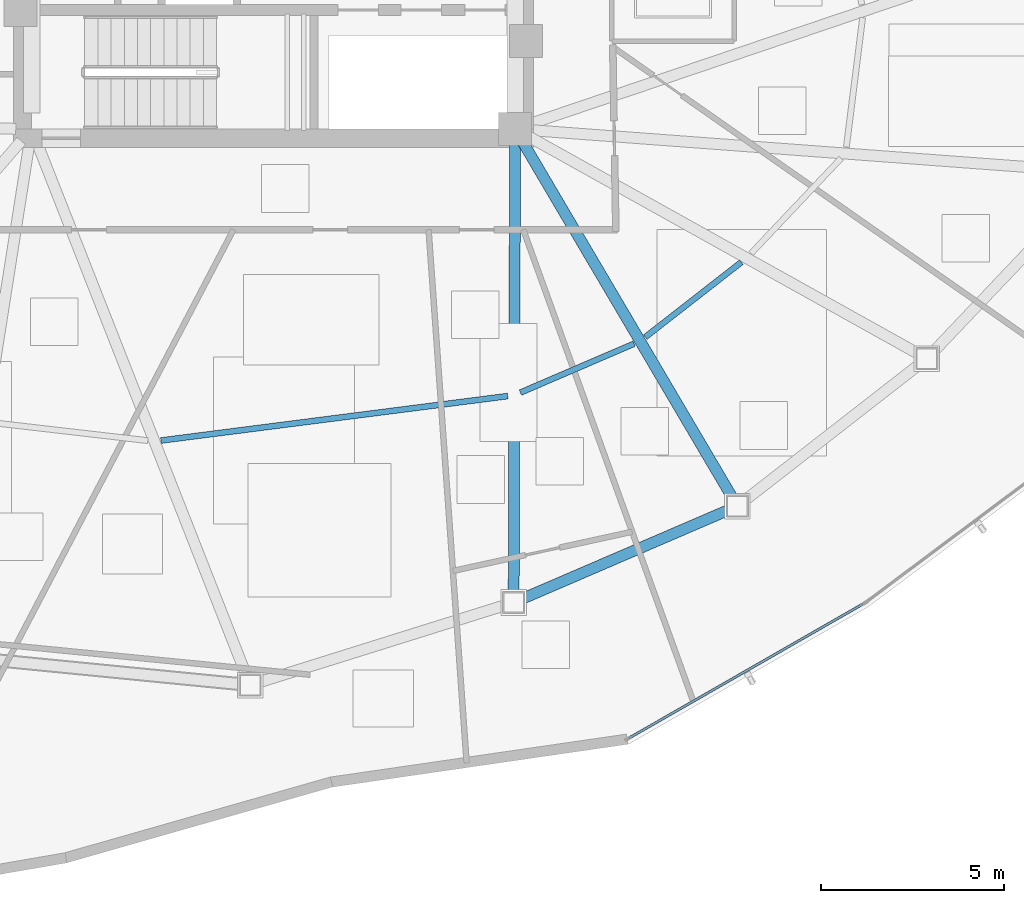
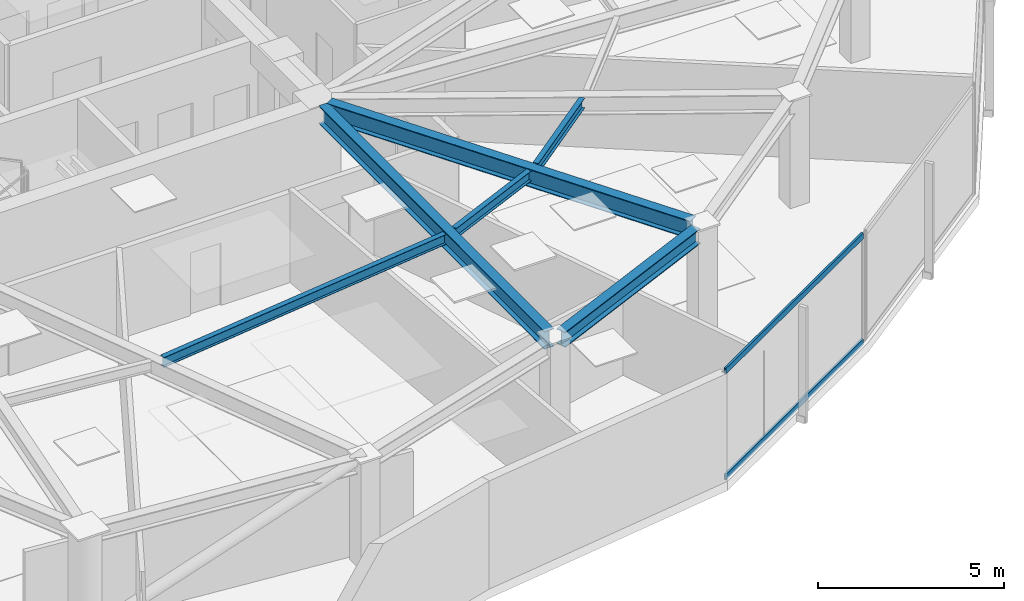
# One storey, part 3 of 18: 6 beams, 2 members, 1 element without a shape of its own.
"""IFC4 building model written with IfcOpenShell, lengths in metres."""

from ifc_helpers import new_model, si_unit, direction, frame, origin, origin_2d, place, context, subcontext, project, spatial, hollow_rectangle, i_section, extrude, source, transform, mapped, material, layer, layer_set, material_profile, profile_set, type_object, type_shapes, element, aggregate, save


model = new_model("IFC4")

# Units and contexts
model_context = context("Model", 3, precision=1e-05, world=origin(), true_north=direction((0.0, 1.0)))
body_context = subcontext(model_context, "Body", "Model", "MODEL_VIEW")
ifc_project = project(units=[si_unit("LENGTHUNIT", "METRE"), si_unit("AREAUNIT", "SQUARE_METRE"), si_unit("VOLUMEUNIT", "CUBIC_METRE"), si_unit("PLANEANGLEUNIT", "RADIAN"), si_unit("MASSUNIT", "GRAM", prefix="KILO")], contexts=[model_context])

# Site, building, storey
site_placement = place(None, origin())
site = spatial("IfcSite", under=ifc_project, at=site_placement, CompositionType="ELEMENT")
building_placement = place(site_placement, origin())
building = spatial("IfcBuilding", under=site, at=building_placement, Name="Tavelor Broadcast Tower", CompositionType="ELEMENT")
storey_placement = place(building_placement, frame((0.0, 0.0, 173.35009765625)))
storey = spatial("IfcBuildingStorey", under=building, at=storey_placement, Name="L41", CompositionType="ELEMENT", Elevation=173.35009765625)

# Beams
ifc_material_1 = material(Name="Steel S355", Category="steel")
ifc_material_profile_1 = material_profile(ifc_material_1, i_section(OverallWidth=0.159912109375, OverallDepth=0.330078125, WebThickness=0.007568359375, FlangeThickness=0.011474609375, at=origin_2d()), Name="IPE 330")
ifc_profile_set_1 = profile_set([ifc_material_profile_1], Name="Steel S355")
beam_type_1 = type_object("IfcBeamType", Name="Composite Floor Joist T4 IPE 330", PredefinedType="JOIST", material=ifc_profile_set_1)
beam_1_placement = place(storey_placement, frame((46.931396484375, 30.294921875, 3.385009765625), z_axis=(0.991879761862, 0.127179157129, 0.0), x_axis=(-0.127179157129, 0.991879761862, 0.0)))
element("IfcBeam", 1, at=beam_1_placement, inside=storey, type_object=beam_type_1, Name="L41 Secondary Composite Floor Joist 08", PredefinedType="JOIST", context=body_context, shape_type="SweptSolid", body=[
    extrude(i_section(OverallWidth=0.159912109375, OverallDepth=0.330078125, WebThickness=0.007568359375, FlangeThickness=0.011474609375, at=origin_2d()), origin(), (0.0, 0.0, 1.0), 9.54443359375),
])
beam_2_placement = place(storey_placement, frame((56.744384765625, 31.603515625, 3.385009765625), z_axis=(0.918692008618, 0.394974674254, 0.0), x_axis=(-0.394974674254, 0.918692008618, 0.0)))
element("IfcBeam", 2, at=beam_2_placement, inside=storey, type_object=beam_type_1, Name="L41 Secondary Composite Floor Joist 09", PredefinedType="JOIST", context=body_context, shape_type="SweptSolid", body=[
    extrude(i_section(OverallWidth=0.159912109375, OverallDepth=0.330078125, WebThickness=0.007568359375, FlangeThickness=0.011474609375, at=origin_2d()), origin(), (0.0, 0.0, 1.0), 3.37744140625),
])
beam_3_placement = place(storey_placement, frame((60.156005859375, 33.120361328125, 3.385009765625), z_axis=(0.788651848012, 0.614840030112, 0.0), x_axis=(-0.614840030112, 0.788651848012, 0.0)))
element("IfcBeam", 3, at=beam_3_placement, inside=storey, type_object=beam_type_1, Name="L41 Secondary Composite Floor Joist 10", PredefinedType="JOIST", context=body_context, shape_type="SweptSolid", body=[
    extrude(i_section(OverallWidth=0.159912109375, OverallDepth=0.330078125, WebThickness=0.007568359375, FlangeThickness=0.011474609375, at=origin_2d()), origin(), (0.0, 0.0, 1.0), 3.32470703125),
])
ifc_material_profile_2 = material_profile(ifc_material_1, i_section(OverallWidth=0.300048828125, OverallDepth=0.5, WebThickness=0.014404296875, FlangeThickness=0.028076171875, at=origin_2d()), Name="HEB 500")
ifc_profile_set_2 = profile_set([ifc_material_profile_2], Name="Steel S355")
beam_type_2 = type_object("IfcBeamType", Name="Perimeter Spandrel Beam T4 HEB 500", PredefinedType="SPANDREL", material=ifc_profile_set_2)
beam_4_placement = place(storey_placement, frame((56.825439453125, 25.98681640625, 3.2998046875), z_axis=(0.91846180915, 0.395509677672, 0.0), x_axis=(-0.395509677672, 0.91846180915, 0.0)))
element("IfcBeam", 4, at=beam_4_placement, inside=storey, type_object=beam_type_2, Name="L41 Framed-Tube Ring Spandrel 09", PredefinedType="SPANDREL", context=body_context, shape_type="SweptSolid", body=[
    extrude(i_section(OverallWidth=0.300048828125, OverallDepth=0.5, WebThickness=0.014404296875, FlangeThickness=0.028076171875, at=origin_2d()), origin(), (0.0, 0.0, 1.0), 6.07470703125),
])
ifc_material_profile_3 = material_profile(ifc_material_1, i_section(OverallWidth=0.300048828125, OverallDepth=0.590087890625, WebThickness=0.012939453125, FlangeThickness=0.02490234375, at=origin_2d()), Name="HEA 600")
ifc_profile_set_3 = profile_set([ifc_material_profile_3], Name="Steel S355")
beam_type_3 = type_object("IfcBeamType", Name="Radial Floor Girder T4 HEA 600", PredefinedType="BEAM", material=ifc_profile_set_3)
beam_5_placement = place(storey_placement, frame((56.5986328125, 38.367919921875, 3.2548828125), z_axis=(-0.0029999865, -0.99999550003, 0.0), x_axis=(0.99999550003, -0.0029999865, 0.0)))
element("IfcBeam", 5, at=beam_5_placement, inside=storey, type_object=beam_type_3, Name="L41 Radial Primary Floor Girder 09", PredefinedType="BEAM", context=body_context, shape_type="SweptSolid", body=[
    extrude(i_section(OverallWidth=0.300048828125, OverallDepth=0.590087890625, WebThickness=0.012939453125, FlangeThickness=0.02490234375, at=origin_2d()), origin(), (0.0, 0.0, 1.0), 12.20703125),
])
beam_6_placement = place(storey_placement, frame((56.8193359375, 38.427734375, 3.2548828125), z_axis=(0.50778362975, -0.861484640233, 0.0), x_axis=(0.861484640233, 0.50778362975, 0.0)))
element("IfcBeam", 6, at=beam_6_placement, inside=storey, type_object=beam_type_3, Name="L41 Radial Primary Floor Girder 10", PredefinedType="BEAM", context=body_context, shape_type="SweptSolid", body=[
    extrude(i_section(OverallWidth=0.300048828125, OverallDepth=0.590087890625, WebThickness=0.012939453125, FlangeThickness=0.02490234375, at=origin_2d()), origin(), (0.0, 0.0, 1.0), 11.232421875),
])

# Curtain wall, members
ifc_material_2 = material(Name="Architectural Anodized Aluminium", Category="aluminium")
ifc_layer = layer(ifc_material_2, 0.18994140625)
ifc_layer_set = layer_set([ifc_layer], Name="Architectural Anodized Aluminium")
curtain_wall_type = type_object("IfcCurtainWallType", Name="Tower Mid-Zone Acoustic Curtain Wall CW03", PredefinedType="NOTDEFINED", material=ifc_layer_set)
curtain_wall_placement = place(storey_placement, origin())
curtain_wall = element("IfcCurtainWall", 7, at=curtain_wall_placement, inside=storey, type_object=curtain_wall_type, Name="L41 Curtain Wall CW03 Run 437", PredefinedType="NOTDEFINED")
ifc_material_profile_4 = material_profile(ifc_material_2, hollow_rectangle(XDim=0.068115234375, YDim=0.18994140625, WallThickness=0.02197265625, at=origin_2d()), Name="RHS 68x190x22")
ifc_profile_set_4 = profile_set([ifc_material_profile_4], Name="Architectural Anodized Aluminium")
member_type = type_object("IfcMemberType", Name="CW03 Extruded Aluminium Transom 68x190", PredefinedType="USERDEFINED", material=ifc_profile_set_4)
shared_shape = source(origin(), body_context, "Body", "SweptSolid", [
    extrude(hollow_rectangle(XDim=0.068115234375, YDim=0.18994140625, WallThickness=0.02197265625, at=origin_2d()), origin(), (0.0, 0.0, 1.0), 7.35205078125),
])
type_shapes(member_type, [shared_shape])
member_1_placement = place(storey_placement, frame((59.71435546875, 22.174072265625, 0.033935546875), z_axis=(0.867557747132, 0.497336460951, 0.0), x_axis=(-0.497336460951, 0.867557747132, 0.0)))
member_1 = element("IfcMember", 8, at=member_1_placement, type_object=member_type, Name="CW03 transom 1.1", ObjectType="TRANSOM", PredefinedType="USERDEFINED", context=body_context, shape_type="MappedRepresentation", body=[
    mapped(shared_shape, transform((0.0, 0.0, 0.0), scale=1.0)),
])
member_2_placement = place(storey_placement, frame((59.71435546875, 22.174072265625, 3.515869140625), z_axis=(0.867557747132, 0.497336460951, 0.0), x_axis=(-0.497336460951, 0.867557747132, 0.0)))
member_2 = element("IfcMember", 9, at=member_2_placement, type_object=member_type, Name="CW03 transom 1.2", ObjectType="TRANSOM", PredefinedType="USERDEFINED", context=body_context, shape_type="MappedRepresentation", body=[
    mapped(shared_shape, transform((0.0, 0.0, 0.0), scale=1.0)),
])
aggregate(curtain_wall, [member_1, member_2])

save(model, "model.ifc")
